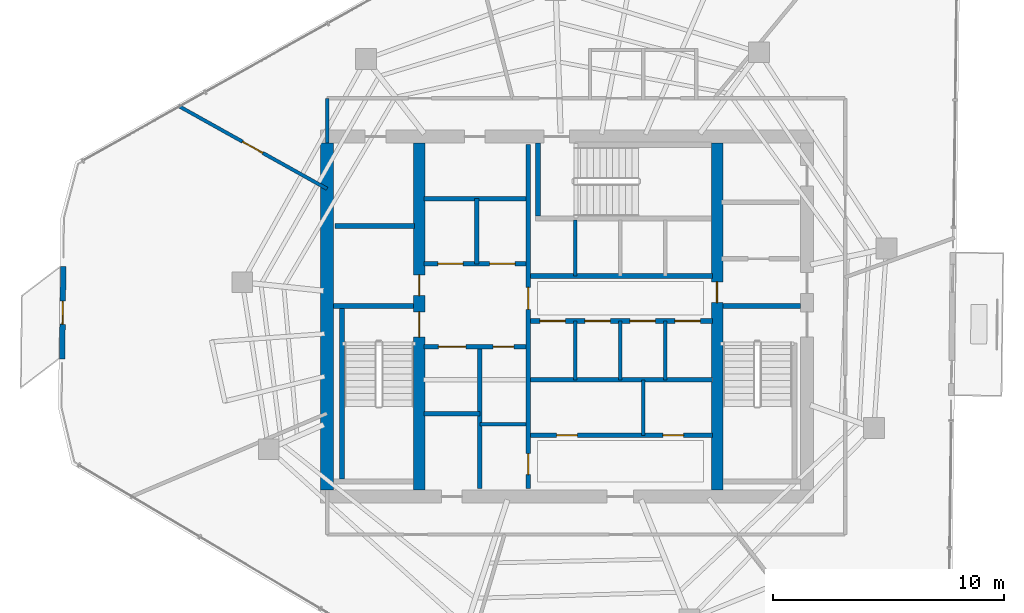
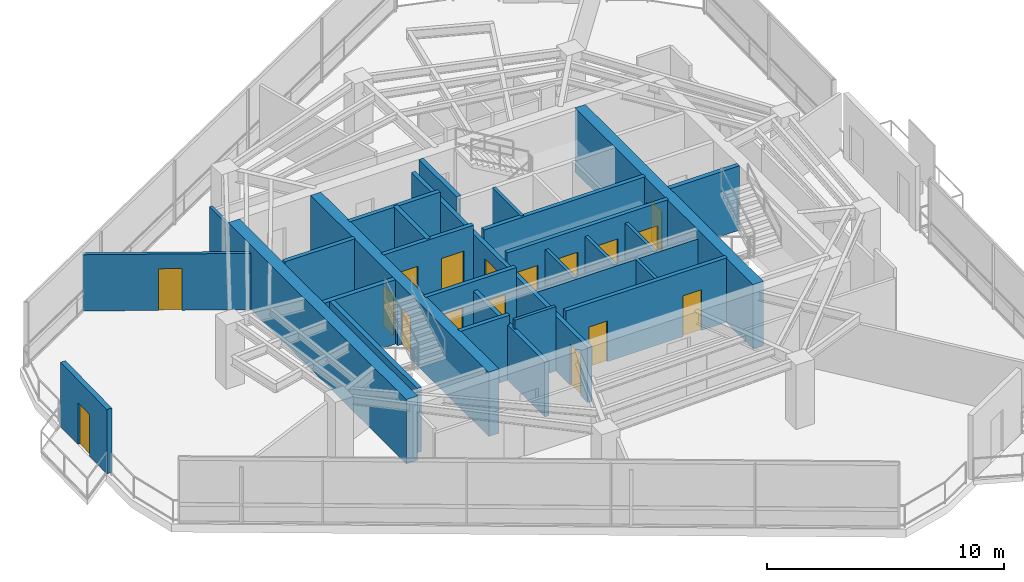
# One storey, part 14 of 18: 28 walls, 17 doors, 17 openings.
"""IFC4 building model written with IfcOpenShell, lengths in metres."""

from ifc_helpers import new_model, si_unit, direction, frame, frame_2d, origin, place, context, subcontext, project, spatial, rectangle, extrude, material, layer, layer_set, type_object, element, fill, save


model = new_model("IFC4")

# Units and contexts
model_context = context("Model", 3, precision=1e-05, world=origin(), true_north=direction((0.0, 1.0)))
body_context = subcontext(model_context, "Body", "Model", "MODEL_VIEW")
ifc_project = project(units=[si_unit("LENGTHUNIT", "METRE"), si_unit("AREAUNIT", "SQUARE_METRE"), si_unit("VOLUMEUNIT", "CUBIC_METRE"), si_unit("PLANEANGLEUNIT", "RADIAN"), si_unit("MASSUNIT", "GRAM", prefix="KILO")], contexts=[model_context])

# Site, building, storey
site_placement = place(None, origin())
site = spatial("IfcSite", under=ifc_project, at=site_placement, CompositionType="ELEMENT")
building_placement = place(site_placement, origin())
building = spatial("IfcBuilding", under=site, at=building_placement, Name="Qarnah Convention Tower", CompositionType="ELEMENT")
storey_placement = place(building_placement, frame((0.0, 0.0, 177.0)))
storey = spatial("IfcBuildingStorey", under=building, at=storey_placement, Name="L47", CompositionType="ELEMENT", Elevation=177.0)

# Wall
ifc_material_1 = material(Name="Concrete C60/75", Category="concrete")
ifc_layer_1 = layer(ifc_material_1, 0.550048828125)
ifc_layer_set_1 = layer_set([ifc_layer_1], Name="Concrete C60/75")
wall_type_1 = type_object("IfcWallType", Name="WL-CORE-550", PredefinedType="SHEAR", material=ifc_layer_set_1)
wall_1_placement = place(storey_placement, frame((26.800048828125, 18.875, 0.0), z_axis=(0.0, 0.0, 1.0), x_axis=(0.0, 1.0, 0.0)))
element("IfcWall", 1, at=wall_1_placement, inside=storey, type_object=wall_type_1, Name="L47 core west shear wall", PredefinedType="SHEAR", context=body_context, shape_type="SweptSolid", body=[
    extrude(rectangle(XDim=15.050048828125, YDim=0.550048828125, at=frame_2d((7.52490234375, 0.0))), origin(), (0.0, 0.0, 1.0), 3.320068359375),
])

# Wall, openings, doors
ifc_layer_2 = layer(ifc_material_1, 0.5)
ifc_layer_set_2 = layer_set([ifc_layer_2], Name="Concrete C60/75")
wall_type_2 = type_object("IfcWallType", Name="WL-CORE-INT-400", PredefinedType="SHEAR", material=ifc_layer_set_2)
wall_2_placement = place(storey_placement, frame((30.800048828125, 18.875, 0.0), z_axis=(0.0, 0.0, 1.0), x_axis=(0.0, 1.0, 0.0)))
wall_2 = element("IfcWall", 2, at=wall_2_placement, inside=storey, type_object=wall_type_2, Name="L47 core west spine shear wall", PredefinedType="SHEAR", context=body_context, shape_type="SweptSolid", body=[
    extrude(rectangle(XDim=15.050048828125, YDim=0.5, at=frame_2d((7.52490234375, 0.0))), origin(), (0.0, 0.0, 1.0), 3.320068359375),
])
opening_1_placement = place(wall_2_placement, frame((6.625, 0.0, 0.0)))
opening_1 = element("IfcOpeningElement", 3, at=opening_1_placement, cuts=wall_2, Name="Opening D-4701", PredefinedType="OPENING", context=body_context, shape_type="SweptSolid", body=[
    extrude(rectangle(XDim=1.10009765625, YDim=2.14990234375, at=frame_2d((0.550048828125, 1.074951171875))), frame((0.0, 0.260009765625, 0.0), z_axis=(0.0, -1.0, 0.0), x_axis=(1.0, 0.0, 0.0)), (0.0, 0.0, 1.0), 0.52001953125),
])
opening_2_placement = place(wall_2_placement, frame((8.425048828125, 0.0, 0.0)))
opening_2 = element("IfcOpeningElement", 4, at=opening_2_placement, cuts=wall_2, Name="Opening D-4708", PredefinedType="OPENING", context=body_context, shape_type="SweptSolid", body=[
    extrude(rectangle(XDim=0.89990234375, YDim=2.10009765625, at=frame_2d((0.449951171875, 1.050048828125))), frame((0.0, 0.260009765625, 0.0), z_axis=(0.0, -1.0, 0.0), x_axis=(1.0, 0.0, 0.0)), (0.0, 0.0, 1.0), 0.52001953125),
])
ifc_material_2 = material(Name="Structural steel S355JR", Category="steel")
door_type_1 = type_object("IfcDoorType", Name="DT-RISER-900", OperationType="NOTDEFINED", PredefinedType="DOOR", material=ifc_material_2)
door_1_placement = place(opening_2_placement, origin())
door_1 = element("IfcDoor", 5, at=door_1_placement, inside=storey, type_object=door_type_1, Name="Door D-4708", OperationType="SINGLE_SWING_LEFT", OverallHeight=2.10009765625, OverallWidth=0.89990234375, PredefinedType="DOOR", context=body_context, shape_type="SweptSolid", body=[
    extrude(rectangle(XDim=0.89990234375, YDim=2.10009765625, at=frame_2d((0.449951171875, 1.050048828125))), frame((0.0, 0.02490234375, 0.0), z_axis=(0.0, -1.0, 0.0), x_axis=(1.0, 0.0, 0.0)), (0.0, 0.0, 1.0), 0.050048828125),
])
fill(opening_2, door_1)
door_type_2 = type_object("IfcDoorType", Name="DT-STAIR-1100", OperationType="NOTDEFINED", PredefinedType="DOOR", material=ifc_material_2)
door_2_placement = place(opening_1_placement, origin())
door_2 = element("IfcDoor", 6, at=door_2_placement, inside=storey, type_object=door_type_2, Name="Door D-4701", OperationType="SINGLE_SWING_RIGHT", OverallHeight=2.14990234375, OverallWidth=1.10009765625, PredefinedType="DOOR", context=body_context, shape_type="SweptSolid", body=[
    extrude(rectangle(XDim=1.10009765625, YDim=2.14990234375, at=frame_2d((0.550048828125, 1.074951171875))), frame((0.0, 0.02490234375, 0.0), z_axis=(0.0, -1.0, 0.0), x_axis=(1.0, 0.0, 0.0)), (0.0, 0.0, 1.0), 0.050048828125),
])
fill(opening_1, door_2)

# Wall, opening, door
wall_3_placement = place(storey_placement, frame((43.699951171875, 18.875, 0.0), z_axis=(0.0, 0.0, 1.0), x_axis=(0.0, 1.0, 0.0)))
wall_3 = element("IfcWall", 7, at=wall_3_placement, inside=storey, type_object=wall_type_2, Name="L47 core east spine shear wall", PredefinedType="SHEAR", context=body_context, shape_type="SweptSolid", body=[
    extrude(rectangle(XDim=15.050048828125, YDim=0.5, at=frame_2d((7.52490234375, 0.0))), origin(), (0.0, 0.0, 1.0), 3.320068359375),
])
opening_3_placement = place(wall_3_placement, frame((8.125, 0.0, 0.0)))
opening_3 = element("IfcOpeningElement", 8, at=opening_3_placement, cuts=wall_3, Name="Opening D-4705", PredefinedType="OPENING", context=body_context, shape_type="SweptSolid", body=[
    extrude(rectangle(XDim=0.89990234375, YDim=2.10009765625, at=frame_2d((0.449951171875, 1.050048828125))), frame((0.0, 0.260009765625, 0.0), z_axis=(0.0, -1.0, 0.0), x_axis=(1.0, 0.0, 0.0)), (0.0, 0.0, 1.0), 0.52001953125),
])
door_3_placement = place(opening_3_placement, origin())
door_3 = element("IfcDoor", 9, at=door_3_placement, inside=storey, type_object=door_type_1, Name="Door D-4705", OperationType="SINGLE_SWING_RIGHT", OverallHeight=2.10009765625, OverallWidth=0.89990234375, PredefinedType="DOOR", context=body_context, shape_type="SweptSolid", body=[
    extrude(rectangle(XDim=0.89990234375, YDim=2.10009765625, at=frame_2d((0.449951171875, 1.050048828125))), frame((0.0, 0.02490234375, 0.0), z_axis=(0.0, -1.0, 0.0), x_axis=(1.0, 0.0, 0.0)), (0.0, 0.0, 1.0), 0.050048828125),
])
fill(opening_3, door_3)

# Wall
ifc_material_3 = material(Name="Concrete C45/55", Category="concrete")
ifc_layer_3 = layer(ifc_material_3, 0.199951171875)
ifc_layer_set_3 = layer_set([ifc_layer_3], Name="Concrete C45/55")
wall_type_3 = type_object("IfcWallType", Name="WL-CORE-PART-200", PredefinedType="SOLIDWALL", material=ifc_layer_set_3)
wall_4_placement = place(storey_placement, frame((27.14990234375, 30.320068359375, 0.0), z_axis=(0.0, 0.0, 1.0), x_axis=(1.0, 0.0, 0.0)))
element("IfcWall", 10, at=wall_4_placement, inside=storey, type_object=wall_type_3, Name="L47 interior wall IW-L47-ELRN", PredefinedType="SOLIDWALL", context=body_context, shape_type="SweptSolid", body=[
    extrude(rectangle(XDim=3.4501953125, YDim=0.199951171875, at=frame_2d((1.72509765625, 0.0))), origin(), (0.0, 0.0, 1.0), 3.320068359375),
])

# Wall, openings, doors
wall_5_placement = place(storey_placement, frame((35.52001953125, 18.949951171875, 0.0), z_axis=(0.0, 0.0, 1.0), x_axis=(0.0, 1.0, 0.0)))
wall_5 = element("IfcWall", 11, at=wall_5_placement, inside=storey, type_object=wall_type_3, Name="L47 interior wall IW-L47-CSP", PredefinedType="SOLIDWALL", context=body_context, shape_type="SweptSolid", body=[
    extrude(rectangle(XDim=14.900146484375, YDim=0.199951171875, at=frame_2d((7.4501953125, 0.0))), origin(), (0.0, 0.0, 1.0), 2.841064453125),
])
opening_4_placement = place(wall_5_placement, frame((7.7548828125, 0.0, 0.0)))
opening_4 = element("IfcOpeningElement", 12, at=opening_4_placement, cuts=wall_5, Name="Opening D-4704", PredefinedType="OPENING", context=body_context, shape_type="SweptSolid", body=[
    extrude(rectangle(XDim=0.949951171875, YDim=2.14990234375, at=frame_2d((0.47509765625, 1.074951171875))), frame((0.0, 0.10986328125, 0.0), z_axis=(0.0, -1.0, 0.0), x_axis=(1.0, 0.0, 0.0)), (0.0, 0.0, 1.0), 0.219970703125),
])
opening_5_placement = place(wall_5_placement, frame((0.60009765625, 0.0, 0.0)))
opening_5 = element("IfcOpeningElement", 13, at=opening_5_placement, cuts=wall_5, Name="Opening D-4714", PredefinedType="OPENING", context=body_context, shape_type="SweptSolid", body=[
    extrude(rectangle(XDim=0.89990234375, YDim=2.10009765625, at=frame_2d((0.449951171875, 1.050048828125))), frame((0.0, 0.10986328125, 0.0), z_axis=(0.0, -1.0, 0.0), x_axis=(1.0, 0.0, 0.0)), (0.0, 0.0, 1.0), 0.219970703125),
])
ifc_material_4 = material(Name="Oak timber veneer", Category="wood")
door_type_3 = type_object("IfcDoorType", Name="DT-HOTEL-950", OperationType="NOTDEFINED", PredefinedType="DOOR", material=ifc_material_4)
door_4_placement = place(opening_4_placement, origin())
door_4 = element("IfcDoor", 14, at=door_4_placement, inside=storey, type_object=door_type_3, Name="Door D-4704", OperationType="SINGLE_SWING_LEFT", OverallHeight=2.14990234375, OverallWidth=0.949951171875, PredefinedType="DOOR", context=body_context, shape_type="SweptSolid", body=[
    extrude(rectangle(XDim=0.949951171875, YDim=2.14990234375, at=frame_2d((0.47509765625, 1.074951171875))), frame((0.0, 0.02490234375, 0.0), z_axis=(0.0, -1.0, 0.0), x_axis=(1.0, 0.0, 0.0)), (0.0, 0.0, 1.0), 0.050048828125),
])
fill(opening_4, door_4)
door_5_placement = place(opening_5_placement, origin())
door_5 = element("IfcDoor", 15, at=door_5_placement, inside=storey, type_object=door_type_1, Name="Door D-4714", OperationType="SINGLE_SWING_LEFT", OverallHeight=2.10009765625, OverallWidth=0.89990234375, PredefinedType="DOOR", context=body_context, shape_type="SweptSolid", body=[
    extrude(rectangle(XDim=0.89990234375, YDim=2.10009765625, at=frame_2d((0.449951171875, 1.050048828125))), frame((0.0, 0.02490234375, 0.0), z_axis=(0.0, -1.0, 0.0), x_axis=(1.0, 0.0, 0.0)), (0.0, 0.0, 1.0), 0.050048828125),
])
fill(opening_5, door_5)

wall_6_placement = place(storey_placement, frame((31.0, 28.679931640625, 0.0), z_axis=(0.0, 0.0, 1.0), x_axis=(1.0, 0.0, 0.0)))
wall_6 = element("IfcWall", 16, at=wall_6_placement, inside=storey, type_object=wall_type_3, Name="L47 interior wall IW-L47-FFLS", PredefinedType="SOLIDWALL", context=body_context, shape_type="SweptSolid", body=[
    extrude(rectangle(XDim=4.419921875, YDim=0.199951171875, at=frame_2d((2.2099609375, 0.0))), origin(), (0.0, 0.0, 1.0), 3.320068359375),
])
opening_6_placement = place(wall_6_placement, frame((0.60009765625, 0.0, 0.0)))
opening_6 = element("IfcOpeningElement", 17, at=opening_6_placement, cuts=wall_6, Name="Opening LD-4701", PredefinedType="OPENING", context=body_context, shape_type="SweptSolid", body=[
    extrude(rectangle(XDim=1.10009765625, YDim=2.14990234375, at=frame_2d((0.550048828125, 1.074951171875))), frame((0.0, 0.10986328125, 0.0), z_axis=(0.0, -1.0, 0.0), x_axis=(1.0, 0.0, 0.0)), (0.0, 0.0, 1.0), 0.219970703125),
])
opening_7_placement = place(wall_6_placement, frame((2.85009765625, 0.0, 0.0)))
opening_7 = element("IfcOpeningElement", 18, at=opening_7_placement, cuts=wall_6, Name="Opening LD-4702", PredefinedType="OPENING", context=body_context, shape_type="SweptSolid", body=[
    extrude(rectangle(XDim=1.10009765625, YDim=2.14990234375, at=frame_2d((0.550048828125, 1.074951171875))), frame((0.0, 0.10986328125, 0.0), z_axis=(0.0, -1.0, 0.0), x_axis=(1.0, 0.0, 0.0)), (0.0, 0.0, 1.0), 0.219970703125),
])
door_type_4 = type_object("IfcDoorType", Name="DT-LIFT-1100", OperationType="SLIDING_TO_LEFT", PredefinedType="DOOR", material=ifc_material_2)
door_6_placement = place(opening_6_placement, origin())
door_6 = element("IfcDoor", 19, at=door_6_placement, inside=storey, type_object=door_type_4, Name="Door LD-4701", OperationType="SLIDING_TO_LEFT", OverallHeight=2.14990234375, OverallWidth=1.10009765625, PredefinedType="DOOR", context=body_context, shape_type="SweptSolid", body=[
    extrude(rectangle(XDim=1.10009765625, YDim=2.14990234375, at=frame_2d((0.550048828125, 1.074951171875))), frame((0.0, 0.02490234375, 0.0), z_axis=(0.0, -1.0, 0.0), x_axis=(1.0, 0.0, 0.0)), (0.0, 0.0, 1.0), 0.050048828125),
])
fill(opening_6, door_6)
door_7_placement = place(opening_7_placement, origin())
door_7 = element("IfcDoor", 20, at=door_7_placement, inside=storey, type_object=door_type_4, Name="Door LD-4702", OperationType="SLIDING_TO_LEFT", OverallHeight=2.14990234375, OverallWidth=1.10009765625, PredefinedType="DOOR", context=body_context, shape_type="SweptSolid", body=[
    extrude(rectangle(XDim=1.10009765625, YDim=2.14990234375, at=frame_2d((0.550048828125, 1.074951171875))), frame((0.0, 0.02490234375, 0.0), z_axis=(0.0, -1.0, 0.0), x_axis=(1.0, 0.0, 0.0)), (0.0, 0.0, 1.0), 0.050048828125),
])
fill(opening_7, door_7)

# Walls
wall_7_placement = place(storey_placement, frame((31.0, 31.5, 0.0), z_axis=(0.0, 0.0, 1.0), x_axis=(1.0, 0.0, 0.0)))
element("IfcWall", 21, at=wall_7_placement, inside=storey, type_object=wall_type_3, Name="L47 interior wall IW-L47-FFLN", PredefinedType="SOLIDWALL", context=body_context, shape_type="SweptSolid", body=[
    extrude(rectangle(XDim=4.419921875, YDim=0.199951171875, at=frame_2d((2.2099609375, 0.0))), origin(), (0.0, 0.0, 1.0), 3.320068359375),
])
wall_8_placement = place(storey_placement, frame((33.280029296875, 28.679931640625, 0.0), z_axis=(0.0, 0.0, 1.0), x_axis=(0.0, 1.0, 0.0)))
element("IfcWall", 22, at=wall_8_placement, inside=storey, type_object=wall_type_3, Name="L47 interior wall IW-L47-FFLM", PredefinedType="SOLIDWALL", context=body_context, shape_type="SweptSolid", body=[
    extrude(rectangle(XDim=2.820068359375, YDim=0.199951171875, at=frame_2d((1.41015625, 0.0))), origin(), (0.0, 0.0, 1.0), 3.320068359375),
])

# Wall, openings, doors
wall_9_placement = place(storey_placement, frame((31.0, 25.080078125, 0.0), z_axis=(0.0, 0.0, 1.0), x_axis=(1.0, 0.0, 0.0)))
wall_9 = element("IfcWall", 23, at=wall_9_placement, inside=storey, type_object=wall_type_3, Name="L47 interior wall IW-L47-FFLBS", PredefinedType="SOLIDWALL", context=body_context, shape_type="SweptSolid", body=[
    extrude(rectangle(XDim=4.419921875, YDim=0.199951171875, at=frame_2d((2.2099609375, 0.0))), origin(), (0.0, 0.0, 1.0), 3.320068359375),
])
opening_8_placement = place(wall_9_placement, frame((3.0, 0.0, 0.0)))
opening_8 = element("IfcOpeningElement", 24, at=opening_8_placement, cuts=wall_9, Name="Opening D-4715", PredefinedType="OPENING", context=body_context, shape_type="SweptSolid", body=[
    extrude(rectangle(XDim=0.89990234375, YDim=2.10009765625, at=frame_2d((0.449951171875, 1.050048828125))), frame((0.0, 0.10986328125, 0.0), z_axis=(0.0, -1.0, 0.0), x_axis=(1.0, 0.0, 0.0)), (0.0, 0.0, 1.0), 0.219970703125),
])
opening_9_placement = place(wall_9_placement, frame((0.6201171875, 0.0, 0.0)))
opening_9 = element("IfcOpeningElement", 25, at=opening_9_placement, cuts=wall_9, Name="Opening LD-4703", PredefinedType="OPENING", context=body_context, shape_type="SweptSolid", body=[
    extrude(rectangle(XDim=1.199951171875, YDim=2.14990234375, at=frame_2d((0.60009765625, 1.074951171875))), frame((0.0, 0.10986328125, 0.0), z_axis=(0.0, -1.0, 0.0), x_axis=(1.0, 0.0, 0.0)), (0.0, 0.0, 1.0), 0.219970703125),
])
door_type_5 = type_object("IfcDoorType", Name="DT-LIFT-1200", OperationType="SLIDING_TO_LEFT", PredefinedType="DOOR", material=ifc_material_2)
door_8_placement = place(opening_9_placement, origin())
door_8 = element("IfcDoor", 26, at=door_8_placement, inside=storey, type_object=door_type_5, Name="Door LD-4703", OperationType="SLIDING_TO_LEFT", OverallHeight=2.14990234375, OverallWidth=1.199951171875, PredefinedType="DOOR", context=body_context, shape_type="SweptSolid", body=[
    extrude(rectangle(XDim=1.199951171875, YDim=2.14990234375, at=frame_2d((0.60009765625, 1.074951171875))), frame((0.0, 0.02490234375, 0.0), z_axis=(0.0, -1.0, 0.0), x_axis=(1.0, 0.0, 0.0)), (0.0, 0.0, 1.0), 0.050048828125),
])
fill(opening_9, door_8)
door_9_placement = place(opening_8_placement, origin())
door_9 = element("IfcDoor", 27, at=door_9_placement, inside=storey, type_object=door_type_1, Name="Door D-4715", OperationType="SINGLE_SWING_RIGHT", OverallHeight=2.10009765625, OverallWidth=0.89990234375, PredefinedType="DOOR", context=body_context, shape_type="SweptSolid", body=[
    extrude(rectangle(XDim=0.89990234375, YDim=2.10009765625, at=frame_2d((0.449951171875, 1.050048828125))), frame((0.0, 0.02490234375, 0.0), z_axis=(0.0, -1.0, 0.0), x_axis=(1.0, 0.0, 0.0)), (0.0, 0.0, 1.0), 0.050048828125),
])
fill(opening_8, door_9)

# Walls
wall_10_placement = place(storey_placement, frame((33.419921875, 18.949951171875, 0.0), z_axis=(0.0, 0.0, 1.0), x_axis=(0.0, 1.0, 0.0)))
element("IfcWall", 28, at=wall_10_placement, inside=storey, type_object=wall_type_3, Name="L47 interior wall IW-L47-SVLE", PredefinedType="SOLIDWALL", context=body_context, shape_type="SweptSolid", body=[
    extrude(rectangle(XDim=6.130126953125, YDim=0.199951171875, at=frame_2d((3.06494140625, 0.0))), origin(), (0.0, 0.0, 1.0), 2.841064453125),
])
wall_11_placement = place(storey_placement, frame((31.0, 22.179931640625, 0.0), z_axis=(0.0, 0.0, 1.0), x_axis=(1.0, 0.0, 0.0)))
element("IfcWall", 29, at=wall_11_placement, inside=storey, type_object=wall_type_3, Name="L47 interior wall IW-L47-SVLS", PredefinedType="SOLIDWALL", context=body_context, shape_type="SweptSolid", body=[
    extrude(rectangle(XDim=2.419921875, YDim=0.199951171875, at=frame_2d((1.2099609375, 0.0))), origin(), (0.0, 0.0, 1.0), 3.320068359375),
])
wall_12_placement = place(storey_placement, frame((35.6201171875, 28.14990234375, 0.0), z_axis=(0.0, 0.0, 1.0), x_axis=(1.0, 0.0, 0.0)))
element("IfcWall", 30, at=wall_12_placement, inside=storey, type_object=wall_type_3, Name="L47 interior wall IW-L47-PHS", PredefinedType="SOLIDWALL", context=body_context, shape_type="SweptSolid", body=[
    extrude(rectangle(XDim=7.8798828125, YDim=0.199951171875, at=frame_2d((3.93994140625, 0.0))), origin(), (0.0, 0.0, 1.0), 3.320068359375),
])

# Wall, openings, doors
wall_13_placement = place(storey_placement, frame((35.6201171875, 26.199951171875, 0.0), z_axis=(0.0, 0.0, 1.0), x_axis=(1.0, 0.0, 0.0)))
wall_13 = element("IfcWall", 31, at=wall_13_placement, inside=storey, type_object=wall_type_3, Name="L47 interior wall IW-L47-PMN", PredefinedType="SOLIDWALL", context=body_context, shape_type="SweptSolid", body=[
    extrude(rectangle(XDim=7.8798828125, YDim=0.199951171875, at=frame_2d((3.93994140625, 0.0))), origin(), (0.0, 0.0, 1.0), 3.320068359375),
])
opening_10_placement = place(wall_13_placement, frame((0.405029296875, 0.0, 0.0)))
opening_10 = element("IfcOpeningElement", 32, at=opening_10_placement, cuts=wall_13, Name="Opening LD-4704", PredefinedType="OPENING", context=body_context, shape_type="SweptSolid", body=[
    extrude(rectangle(XDim=1.10009765625, YDim=2.14990234375, at=frame_2d((0.550048828125, 1.074951171875))), frame((0.0, 0.10986328125, 0.0), z_axis=(0.0, -1.0, 0.0), x_axis=(1.0, 0.0, 0.0)), (0.0, 0.0, 1.0), 0.219970703125),
])
opening_11_placement = place(wall_13_placement, frame((2.35498046875, 0.0, 0.0)))
opening_11 = element("IfcOpeningElement", 33, at=opening_11_placement, cuts=wall_13, Name="Opening LD-4705", PredefinedType="OPENING", context=body_context, shape_type="SweptSolid", body=[
    extrude(rectangle(XDim=1.10009765625, YDim=2.14990234375, at=frame_2d((0.550048828125, 1.074951171875))), frame((0.0, 0.10986328125, 0.0), z_axis=(0.0, -1.0, 0.0), x_axis=(1.0, 0.0, 0.0)), (0.0, 0.0, 1.0), 0.219970703125),
])
opening_12_placement = place(wall_13_placement, frame((4.304931640625, 0.0, 0.0)))
opening_12 = element("IfcOpeningElement", 34, at=opening_12_placement, cuts=wall_13, Name="Opening LD-4706", PredefinedType="OPENING", context=body_context, shape_type="SweptSolid", body=[
    extrude(rectangle(XDim=1.10009765625, YDim=2.14990234375, at=frame_2d((0.550048828125, 1.074951171875))), frame((0.0, 0.10986328125, 0.0), z_axis=(0.0, -1.0, 0.0), x_axis=(1.0, 0.0, 0.0)), (0.0, 0.0, 1.0), 0.219970703125),
])
opening_13_placement = place(wall_13_placement, frame((6.2548828125, 0.0, 0.0)))
opening_13 = element("IfcOpeningElement", 35, at=opening_13_placement, cuts=wall_13, Name="Opening LD-4707", PredefinedType="OPENING", context=body_context, shape_type="SweptSolid", body=[
    extrude(rectangle(XDim=1.10009765625, YDim=2.14990234375, at=frame_2d((0.550048828125, 1.074951171875))), frame((0.0, 0.10986328125, 0.0), z_axis=(0.0, -1.0, 0.0), x_axis=(1.0, 0.0, 0.0)), (0.0, 0.0, 1.0), 0.219970703125),
])
door_10_placement = place(opening_10_placement, origin())
door_10 = element("IfcDoor", 36, at=door_10_placement, inside=storey, type_object=door_type_4, Name="Door LD-4704", OperationType="SLIDING_TO_LEFT", OverallHeight=2.14990234375, OverallWidth=1.10009765625, PredefinedType="DOOR", context=body_context, shape_type="SweptSolid", body=[
    extrude(rectangle(XDim=1.10009765625, YDim=2.14990234375, at=frame_2d((0.550048828125, 1.074951171875))), frame((0.0, 0.02490234375, 0.0), z_axis=(0.0, -1.0, 0.0), x_axis=(1.0, 0.0, 0.0)), (0.0, 0.0, 1.0), 0.050048828125),
])
fill(opening_10, door_10)
door_11_placement = place(opening_11_placement, origin())
door_11 = element("IfcDoor", 37, at=door_11_placement, inside=storey, type_object=door_type_4, Name="Door LD-4705", OperationType="SLIDING_TO_LEFT", OverallHeight=2.14990234375, OverallWidth=1.10009765625, PredefinedType="DOOR", context=body_context, shape_type="SweptSolid", body=[
    extrude(rectangle(XDim=1.10009765625, YDim=2.14990234375, at=frame_2d((0.550048828125, 1.074951171875))), frame((0.0, 0.02490234375, 0.0), z_axis=(0.0, -1.0, 0.0), x_axis=(1.0, 0.0, 0.0)), (0.0, 0.0, 1.0), 0.050048828125),
])
fill(opening_11, door_11)
door_12_placement = place(opening_12_placement, origin())
door_12 = element("IfcDoor", 38, at=door_12_placement, inside=storey, type_object=door_type_4, Name="Door LD-4706", OperationType="SLIDING_TO_LEFT", OverallHeight=2.14990234375, OverallWidth=1.10009765625, PredefinedType="DOOR", context=body_context, shape_type="SweptSolid", body=[
    extrude(rectangle(XDim=1.10009765625, YDim=2.14990234375, at=frame_2d((0.550048828125, 1.074951171875))), frame((0.0, 0.02490234375, 0.0), z_axis=(0.0, -1.0, 0.0), x_axis=(1.0, 0.0, 0.0)), (0.0, 0.0, 1.0), 0.050048828125),
])
fill(opening_12, door_12)
door_13_placement = place(opening_13_placement, origin())
door_13 = element("IfcDoor", 39, at=door_13_placement, inside=storey, type_object=door_type_4, Name="Door LD-4707", OperationType="SLIDING_TO_LEFT", OverallHeight=2.14990234375, OverallWidth=1.10009765625, PredefinedType="DOOR", context=body_context, shape_type="SweptSolid", body=[
    extrude(rectangle(XDim=1.10009765625, YDim=2.14990234375, at=frame_2d((0.550048828125, 1.074951171875))), frame((0.0, 0.02490234375, 0.0), z_axis=(0.0, -1.0, 0.0), x_axis=(1.0, 0.0, 0.0)), (0.0, 0.0, 1.0), 0.050048828125),
])
fill(opening_13, door_13)

# Wall
wall_14_placement = place(storey_placement, frame((35.6201171875, 23.64990234375, 0.0), z_axis=(0.0, 0.0, 1.0), x_axis=(1.0, 0.0, 0.0)))
element("IfcWall", 40, at=wall_14_placement, inside=storey, type_object=wall_type_3, Name="L47 interior wall IW-L47-PMPL", PredefinedType="SOLIDWALL", context=body_context, shape_type="SweptSolid", body=[
    extrude(rectangle(XDim=7.8798828125, YDim=0.199951171875, at=frame_2d((3.93994140625, 0.0))), origin(), (0.0, 0.0, 1.0), 2.841064453125),
])

# Wall, openings, doors
wall_15_placement = place(storey_placement, frame((35.6201171875, 21.25, 0.0), z_axis=(0.0, 0.0, 1.0), x_axis=(1.0, 0.0, 0.0)))
wall_15 = element("IfcWall", 41, at=wall_15_placement, inside=storey, type_object=wall_type_3, Name="L47 interior wall IW-L47-PLS", PredefinedType="SOLIDWALL", context=body_context, shape_type="SweptSolid", body=[
    extrude(rectangle(XDim=7.8798828125, YDim=0.199951171875, at=frame_2d((3.93994140625, 0.0))), origin(), (0.0, 0.0, 1.0), 3.320068359375),
])
opening_14_placement = place(wall_15_placement, frame((1.1298828125, 0.0, 0.0)))
opening_14 = element("IfcOpeningElement", 42, at=opening_14_placement, cuts=wall_15, Name="Opening D-4716", PredefinedType="OPENING", context=body_context, shape_type="SweptSolid", body=[
    extrude(rectangle(XDim=0.89990234375, YDim=2.10009765625, at=frame_2d((0.449951171875, 1.050048828125))), frame((0.0, 0.10986328125, 0.0), z_axis=(0.0, -1.0, 0.0), x_axis=(1.0, 0.0, 0.0)), (0.0, 0.0, 1.0), 0.219970703125),
])
opening_15_placement = place(wall_15_placement, frame((5.72998046875, 0.0, 0.0)))
opening_15 = element("IfcOpeningElement", 43, at=opening_15_placement, cuts=wall_15, Name="Opening D-4717", PredefinedType="OPENING", context=body_context, shape_type="SweptSolid", body=[
    extrude(rectangle(XDim=0.89990234375, YDim=2.10009765625, at=frame_2d((0.449951171875, 1.050048828125))), frame((0.0, 0.10986328125, 0.0), z_axis=(0.0, -1.0, 0.0), x_axis=(1.0, 0.0, 0.0)), (0.0, 0.0, 1.0), 0.219970703125),
])
door_14_placement = place(opening_14_placement, origin())
door_14 = element("IfcDoor", 44, at=door_14_placement, inside=storey, type_object=door_type_1, Name="Door D-4716", OperationType="SINGLE_SWING_LEFT", OverallHeight=2.10009765625, OverallWidth=0.89990234375, PredefinedType="DOOR", context=body_context, shape_type="SweptSolid", body=[
    extrude(rectangle(XDim=0.89990234375, YDim=2.10009765625, at=frame_2d((0.449951171875, 1.050048828125))), frame((0.0, 0.02490234375, 0.0), z_axis=(0.0, -1.0, 0.0), x_axis=(1.0, 0.0, 0.0)), (0.0, 0.0, 1.0), 0.050048828125),
])
fill(opening_14, door_14)
door_15_placement = place(opening_15_placement, origin())
door_15 = element("IfcDoor", 45, at=door_15_placement, inside=storey, type_object=door_type_1, Name="Door D-4717", OperationType="SINGLE_SWING_RIGHT", OverallHeight=2.10009765625, OverallWidth=0.89990234375, PredefinedType="DOOR", context=body_context, shape_type="SweptSolid", body=[
    extrude(rectangle(XDim=0.89990234375, YDim=2.10009765625, at=frame_2d((0.449951171875, 1.050048828125))), frame((0.0, 0.02490234375, 0.0), z_axis=(0.0, -1.0, 0.0), x_axis=(1.0, 0.0, 0.0)), (0.0, 0.0, 1.0), 0.050048828125),
])
fill(opening_15, door_15)

# Walls
ifc_layer_4 = layer(ifc_material_1, 0.219970703125)
ifc_layer_set_4 = layer_set([ifc_layer_4], Name="Concrete C60/75")
wall_type_4 = type_object("IfcWallType", Name="WL-CORE-STAIR-220", PredefinedType="SHEAR", material=ifc_layer_set_4)
wall_16_placement = place(storey_placement, frame((27.074951171875, 26.860107421875, 0.0), z_axis=(0.0, 0.0, 1.0), x_axis=(1.0, 0.0, 0.0)))
element("IfcWall", 46, at=wall_16_placement, inside=storey, type_object=wall_type_4, Name="L47 stair shaft shear wall SW-L47-ST1N", PredefinedType="SHEAR", context=body_context, shape_type="SweptSolid", body=[
    extrude(rectangle(XDim=3.47509765625, YDim=0.219970703125, at=frame_2d((1.737548828125, 0.0))), origin(), (0.0, 0.0, 1.0), 3.320068359375),
])
wall_17_placement = place(storey_placement, frame((27.43994140625, 19.35009765625, 0.0), z_axis=(0.0, 0.0, 1.0), x_axis=(0.0, 1.0, 0.0)))
element("IfcWall", 47, at=wall_17_placement, inside=storey, type_object=wall_type_4, Name="L47 stair shaft shear wall SW-L47-ST1W", PredefinedType="SHEAR", context=body_context, shape_type="SweptSolid", body=[
    extrude(rectangle(XDim=7.39990234375, YDim=0.219970703125, at=frame_2d((3.699951171875, 0.0))), origin(), (0.0, 0.0, 1.0), 3.320068359375),
])
wall_18_placement = place(storey_placement, frame((43.949951171875, 26.860107421875, 0.0), z_axis=(0.0, 0.0, 1.0), x_axis=(1.0, 0.0, 0.0)))
element("IfcWall", 48, at=wall_18_placement, inside=storey, type_object=wall_type_4, Name="L47 stair shaft shear wall SW-L47-ST2N", PredefinedType="SHEAR", context=body_context, shape_type="SweptSolid", body=[
    extrude(rectangle(XDim=3.375, YDim=0.219970703125, at=frame_2d((1.6875, 0.0))), origin(), (0.0, 0.0, 1.0), 3.320068359375),
])
wall_19_placement = place(storey_placement, frame((35.93994140625, 30.75, 0.0), z_axis=(0.0, 0.0, 1.0), x_axis=(0.0, 1.0, 0.0)))
element("IfcWall", 49, at=wall_19_placement, inside=storey, type_object=wall_type_4, Name="L47 stair shaft shear wall SW-L47-ST3W", PredefinedType="SHEAR", context=body_context, shape_type="SweptSolid", body=[
    extrude(rectangle(XDim=3.175048828125, YDim=0.219970703125, at=frame_2d((1.58740234375, 0.0))), origin(), (0.0, 0.0, 1.0), 3.320068359375),
])

# Wall, opening, door
ifc_material_5 = material(Name="Precast concrete C45/55", Category="concrete")
ifc_layer_5 = layer(ifc_material_5, 0.239990234375)
ifc_layer_set_5 = layer_set([ifc_layer_5], Name="Precast concrete C45/55")
wall_type_5 = type_object("IfcWallType", Name="WL-EXT-BAL-240", PredefinedType="SOLIDWALL", material=ifc_layer_set_5)
wall_20_placement = place(storey_placement, frame((15.321044921875, 24.56103515625, 0.0), z_axis=(0.0, 0.0, 1.0), x_axis=(0.012514282486, 0.999921693301, 0.0)))
wall_20 = element("IfcWall", 50, at=wall_20_placement, inside=storey, type_object=wall_type_5, Name="L47 loggia threshold wall BAL-L47-C2", PredefinedType="SOLIDWALL", context=body_context, shape_type="SweptSolid", body=[
    extrude(rectangle(XDim=3.999267578125, YDim=0.239990234375, at=frame_2d((1.99951171875, 0.0))), origin(), (0.0, 0.0, 1.0), 3.320068359375),
])
opening_16_placement = place(wall_20_placement, frame((1.5, 0.0, 0.0)))
opening_16 = element("IfcOpeningElement", 51, at=opening_16_placement, cuts=wall_20, Name="Opening BD-4702", PredefinedType="OPENING", context=body_context, shape_type="SweptSolid", body=[
    extrude(rectangle(XDim=1.0, YDim=2.14990234375, at=frame_2d((0.5, 1.074951171875))), frame((0.0, 0.1298828125, 0.0), z_axis=(0.0, -1.0, 0.0), x_axis=(1.0, 0.0, 0.0)), (0.0, 0.0, 1.0), 0.260009765625),
])
ifc_material_6 = material(Name="Black anodised aluminium", Category="aluminium")
door_type_6 = type_object("IfcDoorType", Name="DT-BAL-1000", OperationType="NOTDEFINED", PredefinedType="DOOR", material=ifc_material_6)
door_16_placement = place(opening_16_placement, origin())
door_16 = element("IfcDoor", 52, at=door_16_placement, inside=storey, type_object=door_type_6, Name="L47 balcony terrace door BAL-L47-C2", OperationType="SINGLE_SWING_RIGHT", OverallHeight=2.14990234375, OverallWidth=1.0, PredefinedType="DOOR", context=body_context, shape_type="SweptSolid", body=[
    extrude(rectangle(XDim=1.0, YDim=2.14990234375, at=frame_2d((0.5, 1.074951171875))), frame((0.0, 0.02490234375, 0.0), z_axis=(0.0, -1.0, 0.0), x_axis=(1.0, 0.0, 0.0)), (0.0, 0.0, 1.0), 0.050048828125),
])
fill(opening_16, door_16)

# Walls
ifc_material_7 = material(Name="Gypsum partition board")
ifc_layer_6 = layer(ifc_material_7, 0.14990234375)
ifc_layer_set_6 = layer_set([ifc_layer_6], Name="Gypsum partition board")
wall_type_6 = type_object("IfcWallType", Name="WL-SUITE-150", PredefinedType="PARTITIONING", material=ifc_layer_set_6)
wall_21_placement = place(storey_placement, frame((33.419921875, 21.719970703125, 0.0), z_axis=(0.0, 0.0, 1.0), x_axis=(1.0, 0.0, 0.0)))
element("IfcWall", 53, at=wall_21_placement, inside=storey, type_object=wall_type_6, Name="L47 interior wall IW-L47-CSV1", PredefinedType="PARTITIONING", context=body_context, shape_type="SweptSolid", body=[
    extrude(rectangle(XDim=2.0, YDim=0.14990234375, at=frame_2d((1.0, 0.0))), origin(), (0.0, 0.0, 1.0), 3.320068359375),
])
wall_22_placement = place(storey_placement, frame((37.550048828125, 28.14990234375, 0.0), z_axis=(0.0, 0.0, 1.0), x_axis=(0.0, 1.0, 0.0)))
element("IfcWall", 54, at=wall_22_placement, inside=storey, type_object=wall_type_6, Name="L47 interior wall IW-L47-PHD1", PredefinedType="PARTITIONING", context=body_context, shape_type="SweptSolid", body=[
    extrude(rectangle(XDim=2.43017578125, YDim=0.14990234375, at=frame_2d((1.215087890625, 0.0))), origin(), (0.0, 0.0, 1.0), 3.320068359375),
])
for number, where, z_axis, x_axis, name in (
    (55, (37.550048828125, 23.64990234375, 0.0), (0.0, 0.0, 1.0), (0.0, 1.0, 0.0), "L47 interior wall IW-L47-PMD1"),
    (56, (39.5, 23.64990234375, 0.0), (0.0, 0.0, 1.0), (0.0, 1.0, 0.0), "L47 interior wall IW-L47-PMD2"),
    (57, (41.449951171875, 23.64990234375, 0.0), (0.0, 0.0, 1.0), (0.0, 1.0, 0.0), "L47 interior wall IW-L47-PMD3"),
):
    element("IfcWall", number, at=place(storey_placement, frame(where, z_axis=z_axis, x_axis=x_axis)), inside=storey, type_object=wall_type_6, Name=name, PredefinedType="PARTITIONING", context=body_context, shape_type="SweptSolid", body=[
        extrude(rectangle(XDim=2.550048828125, YDim=0.14990234375, at=frame_2d((1.27490234375, 0.0))), origin(), (0.0, 0.0, 1.0), 2.841064453125),
    ])
wall_23_placement = place(storey_placement, frame((40.5, 21.25, 0.0), z_axis=(0.0, 0.0, 1.0), x_axis=(0.0, 1.0, 0.0)))
element("IfcWall", 58, at=wall_23_placement, inside=storey, type_object=wall_type_6, Name="L47 interior wall IW-L47-PLFD", PredefinedType="PARTITIONING", context=body_context, shape_type="SweptSolid", body=[
    extrude(rectangle(XDim=2.39990234375, YDim=0.14990234375, at=frame_2d((1.199951171875, 0.0))), origin(), (0.0, 0.0, 1.0), 2.841064453125),
])

# Wall, opening, door
wall_24_placement = place(storey_placement, frame((20.35498046875, 35.527099609375, 0.0), z_axis=(0.0, 0.0, 1.0), x_axis=(0.87320228503, -0.487357947938, 0.0)))
wall_24 = element("IfcWall", 59, at=wall_24_placement, inside=storey, type_object=wall_type_6, Name="L47 interior wall IW-L47-R-17", PredefinedType="PARTITIONING", context=body_context, shape_type="SweptSolid", body=[
    extrude(rectangle(XDim=7.380859375, YDim=0.14990234375, at=frame_2d((3.6904296875, 0.0))), origin(), (0.0, 0.0, 1.0), 2.905029296875),
])
opening_17_placement = place(wall_24_placement, frame((3.18994140625, 0.0, 0.0)))
opening_17 = element("IfcOpeningElement", 60, at=opening_17_placement, cuts=wall_24, Name="Opening D-4723", PredefinedType="OPENING", context=body_context, shape_type="SweptSolid", body=[
    extrude(rectangle(XDim=1.0, YDim=2.14990234375, at=frame_2d((0.5, 1.074951171875))), frame((0.0, 0.0849609375, 0.0), z_axis=(0.0, -1.0, 0.0), x_axis=(1.0, 0.0, 0.0)), (0.0, 0.0, 1.0), 0.169921875),
])
door_type_7 = type_object("IfcDoorType", Name="DT-OFFICE-1000", OperationType="NOTDEFINED", PredefinedType="DOOR", material=ifc_material_4)
door_17_placement = place(opening_17_placement, origin())
door_17 = element("IfcDoor", 61, at=door_17_placement, inside=storey, type_object=door_type_7, Name="Door D-4723", OperationType="SINGLE_SWING_RIGHT", OverallHeight=2.14990234375, OverallWidth=1.0, PredefinedType="DOOR", context=body_context, shape_type="SweptSolid", body=[
    extrude(rectangle(XDim=1.0, YDim=2.14990234375, at=frame_2d((0.5, 1.074951171875))), frame((0.0, 0.02490234375, 0.0), z_axis=(0.0, -1.0, 0.0), x_axis=(1.0, 0.0, 0.0)), (0.0, 0.0, 1.0), 0.050048828125),
])
fill(opening_17, door_17)

# Wall
wall_25_placement = place(storey_placement, frame((26.800048828125, 33.925048828125, 0.0), z_axis=(0.0, 0.0, 1.0), x_axis=(0.0, 1.0, 0.0)))
element("IfcWall", 62, at=wall_25_placement, inside=storey, type_object=wall_type_6, Name="L47 interior wall IW-L47-R-18", PredefinedType="PARTITIONING", context=body_context, shape_type="SweptSolid", body=[
    extrude(rectangle(XDim=1.925048828125, YDim=0.14990234375, at=frame_2d((0.96240234375, 0.0))), origin(), (0.0, 0.0, 1.0), 2.905029296875),
])

save(model, "model.ifc")
